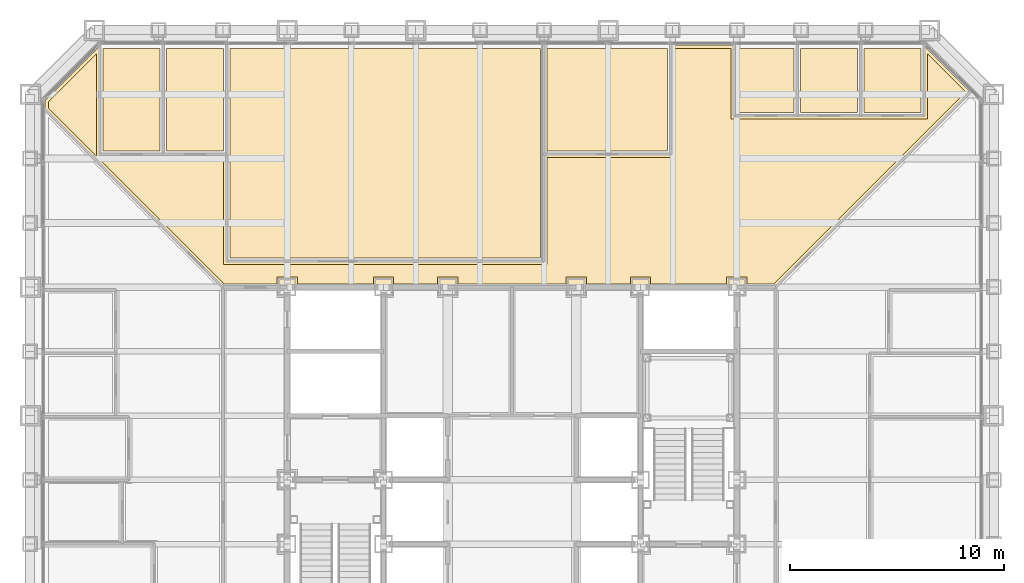
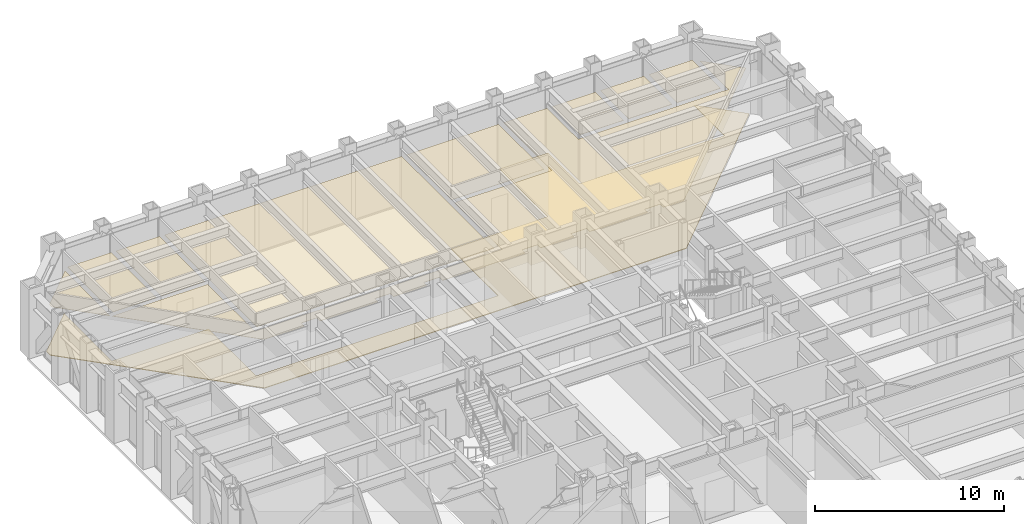
# One storey, part 17 of 17: 10 coverings.
"""IFC4 building model written with IfcOpenShell, lengths in metres."""

from ifc_helpers import new_model, si_unit, direction, frame, origin, place, context, subcontext, project, spatial, polyline, outline, extrude, material, layer, layer_set, type_object, element, save


model = new_model("IFC4")

# Units and contexts
model_context = context("Model", 3, precision=1e-05, world=origin(), true_north=direction((0.0, 1.0)))
body_context = subcontext(model_context, "Body", "Model", "MODEL_VIEW")
ifc_project = project(units=[si_unit("LENGTHUNIT", "METRE"), si_unit("AREAUNIT", "SQUARE_METRE"), si_unit("VOLUMEUNIT", "CUBIC_METRE"), si_unit("PLANEANGLEUNIT", "RADIAN"), si_unit("MASSUNIT", "GRAM", prefix="KILO")], contexts=[model_context])

# Site, building, storey
site_placement = place(None, origin())
site = spatial("IfcSite", under=ifc_project, at=site_placement, CompositionType="ELEMENT")
building_placement = place(site_placement, origin())
building = spatial("IfcBuilding", under=site, at=building_placement, Name="Chuquiago Exchange Tower", CompositionType="ELEMENT")
storey_placement = place(building_placement, frame((0.0, 0.0, 69.300048828125)))
storey = spatial("IfcBuildingStorey", under=building, at=storey_placement, Name="L14", CompositionType="ELEMENT", Elevation=69.300048828125)

# Coverings
ifc_material_1 = material(Name="Mineral fibre tile, 600 x 600, on pale metal grid", Category="mineral fibre")
ifc_layer_1 = layer(ifc_material_1, 0.02001953125)
ifc_layer_set_1 = layer_set([ifc_layer_1], Name="CL1 suspended tile ceiling 20")
covering_type_1 = type_object("IfcCoveringType", Name="CL1 suspended tile ceiling 20", PredefinedType="CEILING", material=ifc_layer_set_1)
covering_1_placement = place(storey_placement, frame((0.0, 0.0, 3.0)))
element("IfcCovering", 1, at=covering_1_placement, inside=storey, type_object=covering_type_1, Name="Ceiling Office", PredefinedType="CEILING", context=body_context, shape_type="SweptSolid", body=[
    extrude(outline(polyline([(6.060302734375, 44.14990234375), (6.060302734375, 39.35009765625), (3.3984375, 39.35009765625), (3.3984375, 44.14990234375), (6.060302734375, 44.14990234375)])), origin(), (0.0, 0.0, 1.0), 0.02001953125),
])
covering_2_placement = place(storey_placement, frame((0.0, 0.0, 3.0)))
element("IfcCovering", 2, at=covering_2_placement, inside=storey, type_object=covering_type_1, Name="Ceiling Office", PredefinedType="CEILING", context=body_context, shape_type="SweptSolid", body=[
    extrude(outline(polyline([(9.022216796875, 39.35009765625), (6.3603515625, 39.35009765625), (6.3603515625, 44.14990234375), (9.022216796875, 44.14990234375), (9.022216796875, 39.35009765625)])), origin(), (0.0, 0.0, 1.0), 0.02001953125),
])
covering_3_placement = place(storey_placement, frame((0.0, 0.0, 3.0)))
element("IfcCovering", 3, at=covering_3_placement, inside=storey, type_object=covering_type_1, Name="Ceiling Trading room", PredefinedType="CEILING", context=body_context, shape_type="SweptSolid", body=[
    extrude(outline(polyline([(23.830810546875, 34.35009765625), (9.322021484375, 34.35009765625), (9.322021484375, 44.14990234375), (23.830810546875, 44.14990234375), (23.830810546875, 34.35009765625)])), origin(), (0.0, 0.0, 1.0), 0.02001953125),
])
covering_4_placement = place(storey_placement, frame((0.0, 0.0, 3.0)))
element("IfcCovering", 4, at=covering_4_placement, inside=storey, type_object=covering_type_1, Name="Ceiling Meeting room", PredefinedType="CEILING", context=body_context, shape_type="SweptSolid", body=[
    extrude(outline(polyline([(29.75439453125, 39.35009765625), (24.130859375, 39.35009765625), (24.130859375, 44.14990234375), (29.75439453125, 44.14990234375), (29.75439453125, 39.35009765625)])), origin(), (0.0, 0.0, 1.0), 0.02001953125),
])
covering_5_placement = place(storey_placement, frame((0.0, 0.0, 3.0)))
element("IfcCovering", 5, at=covering_5_placement, inside=storey, type_object=covering_type_1, Name="Ceiling Focus room", PredefinedType="CEILING", context=body_context, shape_type="SweptSolid", body=[
    extrude(outline(polyline([(35.677978515625, 41.14990234375), (33.01611328125, 41.14990234375), (33.01611328125, 44.14990234375), (35.677978515625, 44.14990234375), (35.677978515625, 41.14990234375)])), origin(), (0.0, 0.0, 1.0), 0.02001953125),
])
covering_6_placement = place(storey_placement, frame((0.0, 0.0, 3.0)))
element("IfcCovering", 6, at=covering_6_placement, inside=storey, type_object=covering_type_1, Name="Ceiling Focus room", PredefinedType="CEILING", context=body_context, shape_type="SweptSolid", body=[
    extrude(outline(polyline([(38.6396484375, 41.14990234375), (35.977783203125, 41.14990234375), (35.977783203125, 44.14990234375), (38.6396484375, 44.14990234375), (38.6396484375, 41.14990234375)])), origin(), (0.0, 0.0, 1.0), 0.02001953125),
])
covering_7_placement = place(storey_placement, frame((0.0, 0.0, 3.0)))
element("IfcCovering", 7, at=covering_7_placement, inside=storey, type_object=covering_type_1, Name="Ceiling Focus room", PredefinedType="CEILING", context=body_context, shape_type="SweptSolid", body=[
    extrude(outline(polyline([(41.6015625, 41.14990234375), (38.939697265625, 41.14990234375), (38.939697265625, 44.14990234375), (41.6015625, 44.14990234375), (41.6015625, 41.14990234375)])), origin(), (0.0, 0.0, 1.0), 0.02001953125),
])
covering_8_placement = place(storey_placement, frame((0.0, 0.0, 3.0)))
element("IfcCovering", 8, at=covering_8_placement, inside=storey, type_object=covering_type_1, Name="Ceiling Trading floor north", PredefinedType="CEILING", context=body_context, shape_type="SweptSolid", body=[
    extrude(outline(polyline([(9.022216796875, 39.050048828125), (9.022216796875, 34.050048828125), (24.130859375, 34.050048828125), (24.130859375, 39.050048828125), (30.054443359375, 39.050048828125), (30.054443359375, 44.14990234375), (32.71630859375, 44.14990234375), (32.71630859375, 40.85009765625), (41.901611328125, 40.85009765625), (41.901611328125, 43.896484375), (43.692626953125, 42.10546875), (34.7373046875, 33.14990234375), (33.47509765625, 33.14990234375), (33.47509765625, 33.47509765625), (32.52490234375, 33.47509765625), (32.52490234375, 33.14990234375), (28.97509765625, 33.14990234375), (28.97509765625, 33.47509765625), (28.02490234375, 33.47509765625), (28.02490234375, 33.14990234375), (25.97509765625, 33.14990234375), (25.97509765625, 33.47509765625), (25.02490234375, 33.47509765625), (25.02490234375, 33.14990234375), (19.97509765625, 33.14990234375), (19.97509765625, 33.47509765625), (19.02490234375, 33.47509765625), (19.02490234375, 33.14990234375), (16.97509765625, 33.14990234375), (16.97509765625, 33.47509765625), (16.02490234375, 33.47509765625), (16.02490234375, 33.14990234375), (12.47509765625, 33.14990234375), (12.47509765625, 33.47509765625), (11.52490234375, 33.47509765625), (11.52490234375, 33.14990234375), (9.0625, 33.14990234375), (3.162841796875, 39.050048828125), (9.022216796875, 39.050048828125)])), origin(), (0.0, 0.0, 1.0), 0.02001953125),
])
covering_9_placement = place(storey_placement, frame((0.0, 0.0, 3.0)))
element("IfcCovering", 9, at=covering_9_placement, inside=storey, type_object=covering_type_1, Name="Ceiling Trading floor north", PredefinedType="CEILING", context=body_context, shape_type="SweptSolid", body=[
    extrude(outline(polyline([(3.098388671875, 43.896484375), (3.098388671875, 39.1142578125), (0.85009765625, 41.36279296875), (0.85009765625, 41.64794921875), (3.098388671875, 43.896484375)])), origin(), (0.0, 0.0, 1.0), 0.02001953125),
])
ifc_material_2 = material(Name="Steel raised floor panel", Category="steel")
ifc_layer_2 = layer(ifc_material_2, 0.0400390625)
ifc_layer_set_2 = layer_set([ifc_layer_2], Name="RF1 raised access floor 40")
covering_type_2 = type_object("IfcCoveringType", Name="RF1 raised access floor 40", PredefinedType="FLOORING", material=ifc_layer_set_2)
covering_10_placement = place(storey_placement, frame((0.0, 0.0, -0.0400390625)))
element("IfcCovering", 10, at=covering_10_placement, inside=storey, type_object=covering_type_2, Name="Raised access floor Trading floor north", PredefinedType="FLOORING", context=body_context, shape_type="SweptSolid", body=[
    extrude(outline(polyline([(0.699951171875, 41.710205078125), (3.289794921875, 44.300048828125), (3.24853515625, 44.258544921875), (3.24853515625, 39.199951171875), (9.172119140625, 39.199951171875), (9.172119140625, 34.199951171875), (23.98095703125, 34.199951171875), (23.98095703125, 39.199951171875), (29.904296875, 39.199951171875), (29.904296875, 44.300048828125), (32.8662109375, 44.300048828125), (32.8662109375, 41.0), (41.75146484375, 41.0), (41.75146484375, 44.258544921875), (43.90478515625, 42.10546875), (34.799560546875, 33.0), (9.00048828125, 33.0), (0.699951171875, 41.30078125), (0.699951171875, 41.710205078125)])), origin(), (0.0, 0.0, 1.0), 0.0400390625),
])

save(model, "model.ifc")
